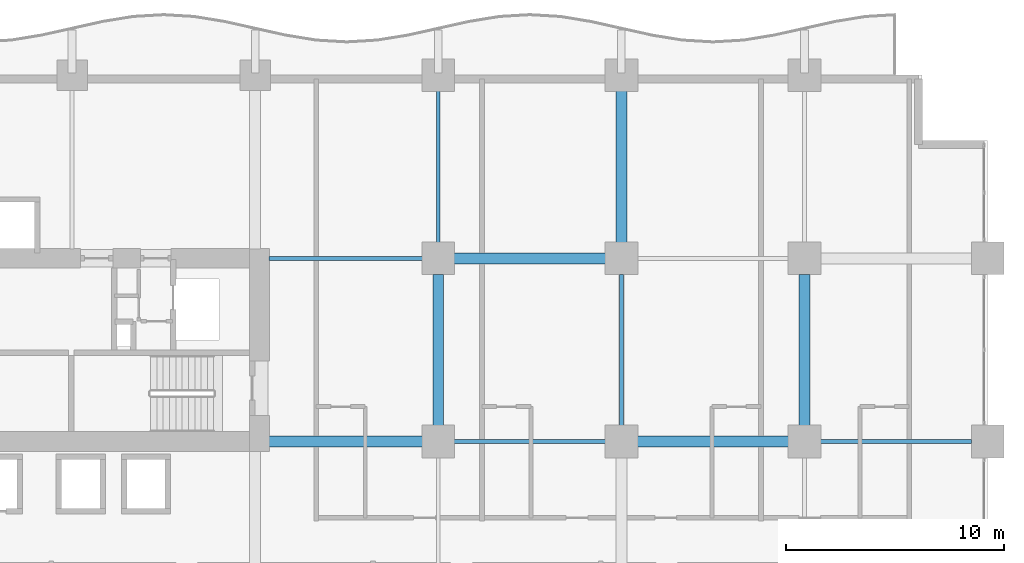
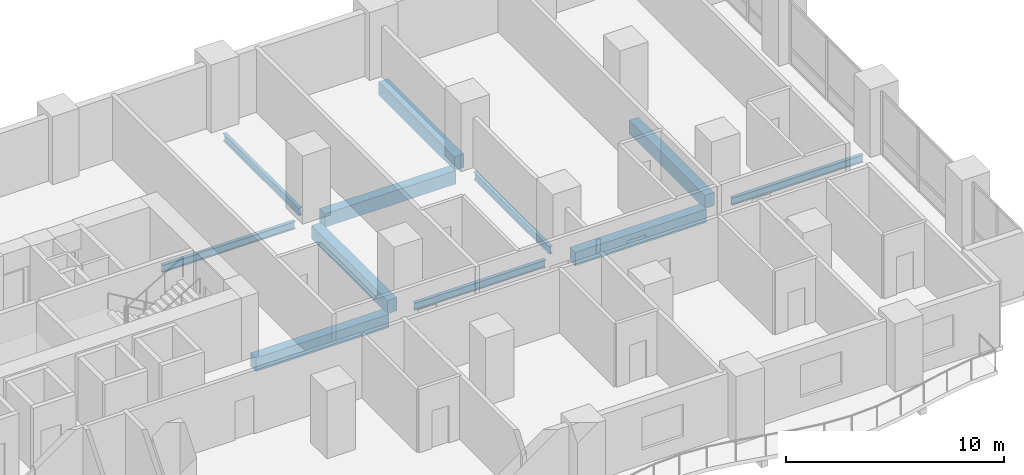
# One storey, part 5 of 26: 11 beams.
"""IFC4 building model written with IfcOpenShell, lengths in metres."""

from ifc_helpers import new_model, si_unit, direction, frame, origin, origin_2d, place, context, subcontext, project, spatial, rectangle, i_section, extrude, material, material_profile, profile_set, type_object, element, save


model = new_model("IFC4")

# Units and contexts
model_context = context("Model", 3, precision=1e-05, world=origin(), true_north=direction((0.0, 1.0)))
body_context = subcontext(model_context, "Body", "Model", "MODEL_VIEW")
ifc_project = project(units=[si_unit("LENGTHUNIT", "METRE"), si_unit("AREAUNIT", "SQUARE_METRE"), si_unit("VOLUMEUNIT", "CUBIC_METRE"), si_unit("PLANEANGLEUNIT", "RADIAN"), si_unit("MASSUNIT", "GRAM", prefix="KILO")], contexts=[model_context])

# Site, building, storey
site_placement = place(None, origin())
site = spatial("IfcSite", under=ifc_project, at=site_placement, CompositionType="ELEMENT")
building_placement = place(site_placement, origin())
building = spatial("IfcBuilding", under=site, at=building_placement, Name="Koriwani Terraces Tower", CompositionType="ELEMENT")
storey_placement = place(building_placement, frame((0.0, 0.0, 39.60009765625)))
storey = spatial("IfcBuildingStorey", under=building, at=storey_placement, Name="L08", CompositionType="ELEMENT", Elevation=39.60009765625)

# Beams
ifc_material_1 = material(Name="Concrete C50/60", Category="concrete")
ifc_material_profile_1 = material_profile(ifc_material_1, rectangle(XDim=0.5, YDim=0.75, at=origin_2d()), Name="Concrete C50/60", Category="LoadBearing")
ifc_profile_set_1 = profile_set([ifc_material_profile_1], Name="Concrete C50/60")
beam_type_1 = type_object("IfcBeamType", Name="BEAM_RC_GRID_500X750", PredefinedType="BEAM", material=ifc_profile_set_1)
beam_1_placement = place(storey_placement, frame((59.429931640625, 16.800048828125, -0.625), z_axis=(1.0, 0.0, 0.0), x_axis=(0.0, 1.0, 0.0)))
element("IfcBeam", 1, at=beam_1_placement, inside=storey, type_object=beam_type_1, Name="L08 Grid Beam C (58.8-67.2m)", PredefinedType="BEAM", context=body_context, shape_type="SweptSolid", body=[
    extrude(rectangle(XDim=0.5, YDim=0.75, at=origin_2d()), origin(), (0.0, 0.0, 1.0), 7.0400390625),
])
beam_2_placement = place(storey_placement, frame((76.330078125, 16.800048828125, -0.625), z_axis=(1.0, 0.0, 0.0), x_axis=(0.0, 1.0, 0.0)))
element("IfcBeam", 2, at=beam_2_placement, inside=storey, type_object=beam_type_1, Name="L08 Grid Beam C (75.6-84.0m)", PredefinedType="BEAM", context=body_context, shape_type="SweptSolid", body=[
    extrude(rectangle(XDim=0.5, YDim=0.75, at=origin_2d()), origin(), (0.0, 0.0, 1.0), 6.93994140625),
])
beam_3_placement = place(storey_placement, frame((67.929931640625, 25.199951171875, -0.625), z_axis=(1.0, 0.0, 0.0), x_axis=(0.0, 1.0, 0.0)))
element("IfcBeam", 3, at=beam_3_placement, inside=storey, type_object=beam_type_1, Name="L08 Grid Beam D (67.2-75.6m)", PredefinedType="BEAM", context=body_context, shape_type="SweptSolid", body=[
    extrude(rectangle(XDim=0.5, YDim=0.75, at=origin_2d()), origin(), (0.0, 0.0, 1.0), 6.940185546875),
])
beam_4_placement = place(storey_placement, frame((67.199951171875, 17.530029296875, -0.625), z_axis=(0.0, 1.0, 0.0), x_axis=(-1.0, 0.0, 0.0)))
element("IfcBeam", 4, at=beam_4_placement, inside=storey, type_object=beam_type_1, Name="L08 Grid Beam 9 (16.8-25.2m)", PredefinedType="BEAM", context=body_context, shape_type="SweptSolid", body=[
    extrude(rectangle(XDim=0.5, YDim=0.75, at=origin_2d()), origin(), (0.0, 0.0, 1.0), 6.93994140625),
])
beam_5_placement = place(storey_placement, frame((75.60009765625, 25.929931640625, -0.625), z_axis=(0.0, 1.0, 0.0), x_axis=(-1.0, 0.0, 0.0)))
element("IfcBeam", 5, at=beam_5_placement, inside=storey, type_object=beam_type_1, Name="L08 Grid Beam 10 (25.2-33.6m)", PredefinedType="BEAM", context=body_context, shape_type="SweptSolid", body=[
    extrude(rectangle(XDim=0.5, YDim=0.75, at=origin_2d()), origin(), (0.0, 0.0, 1.0), 6.940185546875),
])
beam_6_placement = place(storey_placement, frame((84.0, 17.530029296875, -0.625), z_axis=(0.0, 1.0, 0.0), x_axis=(-1.0, 0.0, 0.0)))
element("IfcBeam", 6, at=beam_6_placement, inside=storey, type_object=beam_type_1, Name="L08 Grid Beam 11 (16.8-25.2m)", PredefinedType="BEAM", context=body_context, shape_type="SweptSolid", body=[
    extrude(rectangle(XDim=0.5, YDim=0.75, at=origin_2d()), origin(), (0.0, 0.0, 1.0), 6.93994140625),
])
ifc_material_2 = material(Name="Steel ASTM A572 Grade 50", Category="steel")
ifc_material_profile_2 = material_profile(ifc_material_2, i_section(OverallWidth=0.180908203125, OverallDepth=0.4169921875, WebThickness=0.010986328125, FlangeThickness=0.018310546875, at=origin_2d()), Name="Steel ASTM A572 Grade 50", Category="LoadBearing")
ifc_profile_set_2 = profile_set([ifc_material_profile_2], Name="Steel ASTM A572 Grade 50")
beam_type_2 = type_object("IfcBeamType", Name="STEEL_BEAM_W410X85", PredefinedType="JOIST", material=ifc_profile_set_2)
beam_7_placement = place(storey_placement, frame((67.929931640625, 16.800048828125, -0.45849609375), z_axis=(1.0, 0.0, 0.0), x_axis=(0.0, 1.0, 0.0)))
element("IfcBeam", 7, at=beam_7_placement, inside=storey, type_object=beam_type_2, Name="L08 Grid Beam C (67.2-75.6m)", PredefinedType="JOIST", context=body_context, shape_type="SweptSolid", body=[
    extrude(i_section(OverallWidth=0.180908203125, OverallDepth=0.4169921875, WebThickness=0.010986328125, FlangeThickness=0.018310546875, at=origin_2d()), origin(), (0.0, 0.0, 1.0), 6.940185546875),
])
beam_8_placement = place(storey_placement, frame((84.72998046875, 16.800048828125, -0.45849609375), z_axis=(1.0, 0.0, 0.0), x_axis=(0.0, 1.0, 0.0)))
element("IfcBeam", 8, at=beam_8_placement, inside=storey, type_object=beam_type_2, Name="L08 Grid Beam C (84.0-92.4m)", PredefinedType="JOIST", context=body_context, shape_type="SweptSolid", body=[
    extrude(i_section(OverallWidth=0.180908203125, OverallDepth=0.4169921875, WebThickness=0.010986328125, FlangeThickness=0.018310546875, at=origin_2d()), origin(), (0.0, 0.0, 1.0), 6.93994140625),
])
beam_9_placement = place(storey_placement, frame((59.429931640625, 25.199951171875, -0.45849609375), z_axis=(1.0, 0.0, 0.0), x_axis=(0.0, 1.0, 0.0)))
element("IfcBeam", 9, at=beam_9_placement, inside=storey, type_object=beam_type_2, Name="L08 Grid Beam D (58.8-67.2m)", PredefinedType="JOIST", context=body_context, shape_type="SweptSolid", body=[
    extrude(i_section(OverallWidth=0.180908203125, OverallDepth=0.4169921875, WebThickness=0.010986328125, FlangeThickness=0.018310546875, at=origin_2d()), origin(), (0.0, 0.0, 1.0), 7.0400390625),
])
beam_10_placement = place(storey_placement, frame((67.199951171875, 25.929931640625, -0.45849609375), z_axis=(0.0, 1.0, 0.0), x_axis=(-1.0, 0.0, 0.0)))
element("IfcBeam", 10, at=beam_10_placement, inside=storey, type_object=beam_type_2, Name="L08 Grid Beam 9 (25.2-33.6m)", PredefinedType="JOIST", context=body_context, shape_type="SweptSolid", body=[
    extrude(i_section(OverallWidth=0.180908203125, OverallDepth=0.4169921875, WebThickness=0.010986328125, FlangeThickness=0.018310546875, at=origin_2d()), origin(), (0.0, 0.0, 1.0), 6.940185546875),
])
beam_11_placement = place(storey_placement, frame((75.60009765625, 17.530029296875, -0.45849609375), z_axis=(0.0, 1.0, 0.0), x_axis=(-1.0, 0.0, 0.0)))
element("IfcBeam", 11, at=beam_11_placement, inside=storey, type_object=beam_type_2, Name="L08 Grid Beam 10 (16.8-25.2m)", PredefinedType="JOIST", context=body_context, shape_type="SweptSolid", body=[
    extrude(i_section(OverallWidth=0.180908203125, OverallDepth=0.4169921875, WebThickness=0.010986328125, FlangeThickness=0.018310546875, at=origin_2d()), origin(), (0.0, 0.0, 1.0), 6.93994140625),
])

save(model, "model.ifc")
